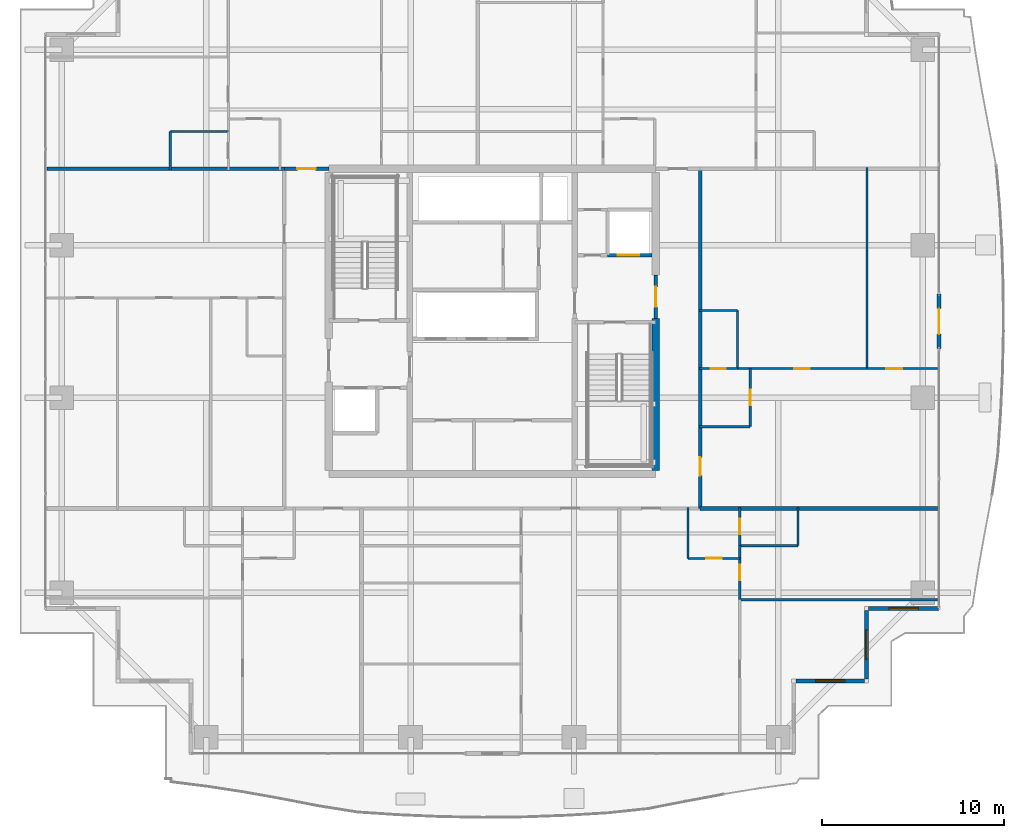
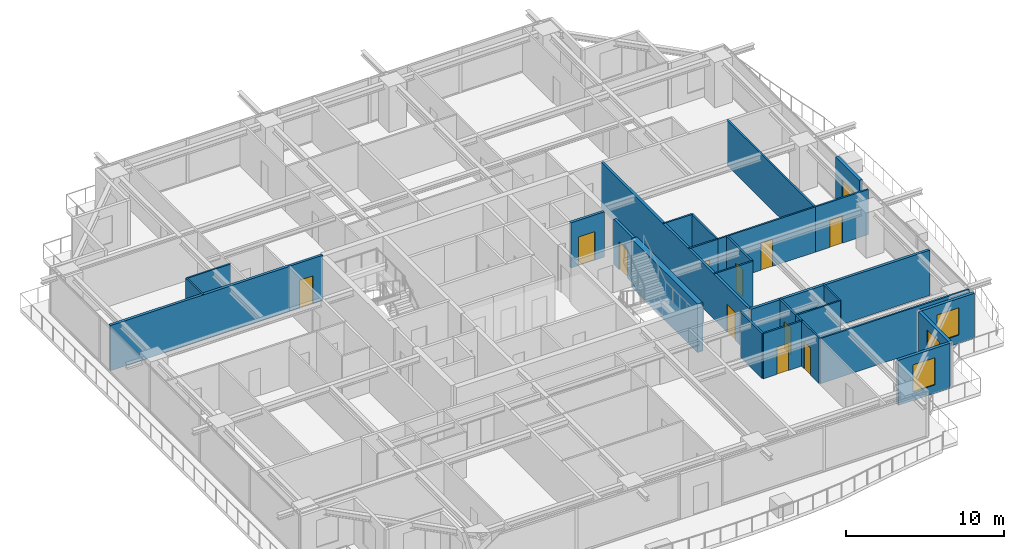
# One storey, part 29 of 37: 28 walls, 12 doors, 3 windows, 15 openings.
"""IFC4 building model written with IfcOpenShell, lengths in metres."""

from ifc_helpers import new_model, si_unit, direction, frame, frame_2d, origin, place, context, subcontext, project, spatial, rectangle, extrude, source, transform, mapped, material, layer, layer_set, type_object, element, fill, save


model = new_model("IFC4")

# Units and contexts
model_context = context("Model", 3, precision=1e-05, world=origin(), true_north=direction((0.0, 1.0)))
body_context = subcontext(model_context, "Body", "Model", "MODEL_VIEW")
ifc_project = project(units=[si_unit("LENGTHUNIT", "METRE"), si_unit("AREAUNIT", "SQUARE_METRE"), si_unit("VOLUMEUNIT", "CUBIC_METRE"), si_unit("PLANEANGLEUNIT", "RADIAN"), si_unit("MASSUNIT", "GRAM", prefix="KILO")], contexts=[model_context])

# Site, building, storey
site_placement = place(None, origin())
site = spatial("IfcSite", under=ifc_project, at=site_placement, CompositionType="ELEMENT")
building_placement = place(site_placement, origin())
building = spatial("IfcBuilding", under=site, at=building_placement, Name="Serunith Strait Residences", CompositionType="ELEMENT")
storey_placement = place(building_placement, frame((0.0, 0.0, 161.39990234375)))
storey = spatial("IfcBuildingStorey", under=building, at=storey_placement, Name="L40", CompositionType="ELEMENT", Elevation=161.39990234375)

# Wall, opening, window
ifc_material_1 = material(Name="Pale-Champagne Aluminium Insulated Panel", Category="aluminium")
ifc_layer_1 = layer(ifc_material_1, 0.219970703125, Name="Pale-Champagne Aluminium Insulated Panel")
ifc_layer_set_1 = layer_set([ifc_layer_1], Name="Pale-Champagne Aluminium Insulated Panel")
wall_type_1 = type_object("IfcWallType", Name="EW-ALUM-220", PredefinedType="ELEMENTEDWALL", material=ifc_layer_set_1)
wall_1_placement = place(storey_placement, frame((49.110107421875, 5.39990234375, 0.0), z_axis=(0.0, 0.0, 1.0), x_axis=(1.0, 0.0, 0.0)))
wall_1 = element("IfcWall", 1, at=wall_1_placement, inside=storey, type_object=wall_type_1, Name="L40 Girih Serrated Corner Wall 03", PredefinedType="ELEMENTEDWALL", context=body_context, shape_type="SweptSolid", body=[
    extrude(rectangle(XDim=3.77978515625, YDim=0.219970703125, at=frame_2d((1.889892578125, 0.0))), origin(), (0.0, 0.0, 1.0), 3.47509765625),
])
opening_1_placement = place(wall_1_placement, frame((1.090087890625, 0.0, 0.64990234375)))
opening_1 = element("IfcOpeningElement", 2, at=opening_1_placement, cuts=wall_1, Name="Opening W-02", PredefinedType="OPENING", context=body_context, shape_type="SweptSolid", body=[
    extrude(rectangle(XDim=1.60009765625, YDim=2.10009765625, at=frame_2d((0.800048828125, 1.050048828125))), frame((0.0, 0.1201171875, 0.0), z_axis=(0.0, -1.0, 0.0), x_axis=(1.0, 0.0, 0.0)), (0.0, 0.0, 1.0), 0.239990234375),
])
ifc_material_2 = material(Name="Ceramic-Fritted Operable Aluminium Window Glass", Category="aluminium")
window_type = type_object("IfcWindowType", Name="WIN-C2", PartitioningType="DOUBLE_PANEL_VERTICAL", PredefinedType="WINDOW", material=ifc_material_2)
shared_shape_1 = source(origin(), body_context, "Body", "SweptSolid", [
    extrude(rectangle(XDim=1.60009765625, YDim=2.10009765625, at=frame_2d((0.800048828125, 1.050048828125))), frame((0.0, 0.030029296875, 0.0), z_axis=(0.0, -1.0, 0.0), x_axis=(1.0, 0.0, 0.0)), (0.0, 0.0, 1.0), 0.06005859375),
])
window_1_placement = place(opening_1_placement, origin())
window_1 = element("IfcWindow", 3, at=window_1_placement, inside=storey, type_object=window_type, Name="L40 Corner Operable Fritted Window 03", OverallHeight=2.10009765625, OverallWidth=1.60009765625, PartitioningType="SINGLE_PANEL", PredefinedType="WINDOW", context=body_context, shape_type="MappedRepresentation", body=[
    mapped(shared_shape_1, transform((0.0, 0.0, 0.0), scale=1.0)),
])
fill(opening_1, window_1)

wall_2_placement = place(storey_placement, frame((53.0, 5.510009765625, 0.0), z_axis=(0.0, 0.0, 1.0), x_axis=(0.0, 1.0, 0.0)))
wall_2 = element("IfcWall", 4, at=wall_2_placement, inside=storey, type_object=wall_type_1, Name="L40 Girih Serrated Corner Wall 04", PredefinedType="ELEMENTEDWALL", context=body_context, shape_type="SweptSolid", body=[
    extrude(rectangle(XDim=3.780029296875, YDim=0.219970703125, at=frame_2d((1.89013671875, 0.0))), origin(), (0.0, 0.0, 1.0), 3.47509765625),
])
opening_2_placement = place(wall_2_placement, frame((1.090087890625, 0.0, 0.64990234375)))
opening_2 = element("IfcOpeningElement", 5, at=opening_2_placement, cuts=wall_2, Name="Opening W-02", PredefinedType="OPENING", context=body_context, shape_type="SweptSolid", body=[
    extrude(rectangle(XDim=1.60009765625, YDim=2.10009765625, at=frame_2d((0.800048828125, 1.050048828125))), frame((0.0, 0.1201171875, 0.0), z_axis=(0.0, -1.0, 0.0), x_axis=(1.0, 0.0, 0.0)), (0.0, 0.0, 1.0), 0.239990234375),
])
window_2_placement = place(opening_2_placement, origin())
window_2 = element("IfcWindow", 6, at=window_2_placement, inside=storey, type_object=window_type, Name="L40 Corner Operable Fritted Window 04", OverallHeight=2.10009765625, OverallWidth=1.60009765625, PartitioningType="SINGLE_PANEL", PredefinedType="WINDOW", context=body_context, shape_type="MappedRepresentation", body=[
    mapped(shared_shape_1, transform((0.0, 0.0, 0.0), scale=1.0)),
])
fill(opening_2, window_2)

wall_3_placement = place(storey_placement, frame((53.110107421875, 9.39990234375, 0.0), z_axis=(0.0, 0.0, 1.0), x_axis=(1.0, 0.0, 0.0)))
wall_3 = element("IfcWall", 7, at=wall_3_placement, inside=storey, type_object=wall_type_1, Name="L40 Girih Serrated Corner Wall 05", PredefinedType="ELEMENTEDWALL", context=body_context, shape_type="SweptSolid", body=[
    extrude(rectangle(XDim=3.889892578125, YDim=0.219970703125, at=frame_2d((1.94482421875, 0.0))), origin(), (0.0, 0.0, 1.0), 3.47509765625),
])
opening_3_placement = place(wall_3_placement, frame((1.14501953125, 0.0, 0.64990234375)))
opening_3 = element("IfcOpeningElement", 8, at=opening_3_placement, cuts=wall_3, Name="Opening W-02", PredefinedType="OPENING", context=body_context, shape_type="SweptSolid", body=[
    extrude(rectangle(XDim=1.60009765625, YDim=2.10009765625, at=frame_2d((0.800048828125, 1.050048828125))), frame((0.0, 0.1201171875, 0.0), z_axis=(0.0, -1.0, 0.0), x_axis=(1.0, 0.0, 0.0)), (0.0, 0.0, 1.0), 0.239990234375),
])
window_3_placement = place(opening_3_placement, origin())
window_3 = element("IfcWindow", 9, at=window_3_placement, inside=storey, type_object=window_type, Name="L40 Corner Operable Fritted Window 05", OverallHeight=2.10009765625, OverallWidth=1.60009765625, PartitioningType="SINGLE_PANEL", PredefinedType="WINDOW", context=body_context, shape_type="MappedRepresentation", body=[
    mapped(shared_shape_1, transform((0.0, 0.0, 0.0), scale=1.0)),
])
fill(opening_3, window_3)

# Wall, opening, door
wall_4_placement = place(storey_placement, frame((57.0, 23.699951171875, 0.0), z_axis=(0.0, 0.0, 1.0), x_axis=(0.0, 1.0, 0.0)))
wall_4 = element("IfcWall", 10, at=wall_4_placement, inside=storey, type_object=wall_type_1, Name="L40 E Facade Pier Wall", PredefinedType="ELEMENTEDWALL", context=body_context, shape_type="SweptSolid", body=[
    extrude(rectangle(XDim=3.0, YDim=0.219970703125, at=frame_2d((1.5, 0.0))), origin(), (0.0, 0.0, 1.0), 3.47509765625),
])
opening_4_placement = place(wall_4_placement, frame((0.800048828125, 0.0, 0.0)))
opening_4 = element("IfcOpeningElement", 11, at=opening_4_placement, cuts=wall_4, Name="Opening ED-04", PredefinedType="OPENING", context=body_context, shape_type="SweptSolid", body=[
    extrude(rectangle(XDim=1.39990234375, YDim=2.25, at=frame_2d((0.699951171875, 1.125))), frame((0.0, 0.1201171875, 0.0), z_axis=(0.0, -1.0, 0.0), x_axis=(1.0, 0.0, 0.0)), (0.0, 0.0, 1.0), 0.239990234375),
])
ifc_material_3 = material(Name="Thermally-Broken Aluminium Sliding Balcony Door", Category="aluminium")
door_type_1 = type_object("IfcDoorType", Name="ED-BALC-1400", OperationType="NOTDEFINED", PredefinedType="DOOR", material=ifc_material_3)
shared_shape_2 = source(origin(), body_context, "Body", "SweptSolid", [
    extrude(rectangle(XDim=1.39990234375, YDim=2.25, at=frame_2d((0.699951171875, 1.125))), frame((0.0, 0.02490234375, 0.0), z_axis=(0.0, -1.0, 0.0), x_axis=(1.0, 0.0, 0.0)), (0.0, 0.0, 1.0), 0.050048828125),
])
door_1_placement = place(opening_4_placement, origin())
door_1 = element("IfcDoor", 12, at=door_1_placement, inside=storey, type_object=door_type_1, Name="L40 E Vertical-Forest Balcony Door", OperationType="SLIDING_TO_LEFT", OverallHeight=2.25, OverallWidth=1.39990234375, PredefinedType="DOOR", context=body_context, shape_type="MappedRepresentation", body=[
    mapped(shared_shape_2, transform((0.0, 0.0, 0.0), scale=1.0)),
])
fill(opening_4, door_1)

ifc_material_4 = material(Name="Fire-rated acoustic gypsum partition")
ifc_layer_2 = layer(ifc_material_4, 0.179931640625, Name="Fire-rated acoustic gypsum partition")
ifc_layer_set_2 = layer_set([ifc_layer_2], Name="Fire-rated acoustic gypsum partition")
wall_type_2 = type_object("IfcWallType", Name="IW-CORR-180", PredefinedType="PARTITIONING", material=ifc_layer_set_2)
wall_5_placement = place(storey_placement, frame((43.85009765625, 14.89990234375, 0.0), z_axis=(0.0, 0.0, 1.0), x_axis=(0.0, 1.0, 0.0)))
wall_5 = element("IfcWall", 13, at=wall_5_placement, inside=storey, type_object=wall_type_2, Name="L40 Partition Wall 027", PredefinedType="PARTITIONING", context=body_context, shape_type="SweptSolid", body=[
    extrude(rectangle(XDim=18.7001953125, YDim=0.179931640625, at=frame_2d((9.35009765625, 0.0))), origin(), (0.0, 0.0, 1.0), 3.489990234375),
])
opening_5_placement = place(wall_5_placement, frame((1.804931640625, 0.0, 0.0)))
opening_5 = element("IfcOpeningElement", 14, at=opening_5_placement, cuts=wall_5, Name="Opening D-APT1000", PredefinedType="OPENING", context=body_context, shape_type="SweptSolid", body=[
    extrude(rectangle(XDim=1.0, YDim=2.14990234375, at=frame_2d((0.5, 1.074951171875))), frame((0.0, 0.10009765625, 0.0), z_axis=(0.0, -1.0, 0.0), x_axis=(1.0, 0.0, 0.0)), (0.0, 0.0, 1.0), 0.199951171875),
])
ifc_material_5 = material(Name="Solid timber engineered fire door", Category="wood")
door_type_2 = type_object("IfcDoorType", Name="ID-APT-1000", OperationType="NOTDEFINED", PredefinedType="DOOR", material=ifc_material_5)
shared_shape_3 = source(origin(), body_context, "Body", "SweptSolid", [
    extrude(rectangle(XDim=1.0, YDim=2.14990234375, at=frame_2d((0.5, 1.074951171875))), frame((0.0, 0.02490234375, 0.0), z_axis=(0.0, -1.0, 0.0), x_axis=(1.0, 0.0, 0.0)), (0.0, 0.0, 1.0), 0.050048828125),
])
door_2_placement = place(opening_5_placement, origin())
door_2 = element("IfcDoor", 15, at=door_2_placement, inside=storey, type_object=door_type_2, Name="L40 Unit 07 Entrance Door", OperationType="SINGLE_SWING_RIGHT", OverallHeight=2.14990234375, OverallWidth=1.0, PredefinedType="DOOR", context=body_context, shape_type="MappedRepresentation", body=[
    mapped(shared_shape_3, transform((0.0, 0.0, 0.0), scale=1.0)),
])
fill(opening_5, door_2)

wall_6_placement = place(storey_placement, frame((20.951904296875, 33.60009765625, 0.0), z_axis=(0.0, 0.0, 1.0), x_axis=(1.0, 0.0, 0.0)))
wall_6 = element("IfcWall", 16, at=wall_6_placement, inside=storey, type_object=wall_type_2, Name="L40 Partition Wall 028", PredefinedType="PARTITIONING", context=body_context, shape_type="SweptSolid", body=[
    extrude(rectangle(XDim=2.446044921875, YDim=0.179931640625, at=frame_2d((1.22314453125, 0.0))), origin(), (0.0, 0.0, 1.0), 3.489990234375),
])
opening_6_placement = place(wall_6_placement, frame((0.722900390625, 0.0, 0.0)))
opening_6 = element("IfcOpeningElement", 17, at=opening_6_placement, cuts=wall_6, Name="Opening D-APT1000", PredefinedType="OPENING", context=body_context, shape_type="SweptSolid", body=[
    extrude(rectangle(XDim=1.0, YDim=2.14990234375, at=frame_2d((0.5, 1.074951171875))), frame((0.0, 0.10009765625, 0.0), z_axis=(0.0, -1.0, 0.0), x_axis=(1.0, 0.0, 0.0)), (0.0, 0.0, 1.0), 0.199951171875),
])
door_3_placement = place(opening_6_placement, origin())
door_3 = element("IfcDoor", 18, at=door_3_placement, inside=storey, type_object=door_type_2, Name="L40 Unit 04 Entrance Door", OperationType="SINGLE_SWING_LEFT", OverallHeight=2.14990234375, OverallWidth=1.0, PredefinedType="DOOR", context=body_context, shape_type="MappedRepresentation", body=[
    mapped(shared_shape_3, transform((0.0, 0.0, 0.0), scale=1.0)),
])
fill(opening_6, door_3)

ifc_material_6 = material(Name="Lightweight steel-stud gypsum partition", Category="steel")
ifc_layer_3 = layer(ifc_material_6, 0.1201171875, Name="Lightweight steel-stud gypsum partition")
ifc_layer_set_3 = layer_set([ifc_layer_3], Name="Lightweight steel-stud gypsum partition")
wall_type_3 = type_object("IfcWallType", Name="IW-PART-120", PredefinedType="PARTITIONING", material=ifc_layer_set_3)
wall_7_placement = place(storey_placement, frame((43.179931640625, 12.14990234375, 0.0), z_axis=(0.0, 0.0, 1.0), x_axis=(1.0, 0.0, 0.0)))
wall_7 = element("IfcWall", 19, at=wall_7_placement, inside=storey, type_object=wall_type_3, Name="L40 Partition Wall 045", PredefinedType="PARTITIONING", context=body_context, shape_type="SweptSolid", body=[
    extrude(rectangle(XDim=2.85009765625, YDim=0.1201171875, at=frame_2d((1.425048828125, 0.0))), origin(), (0.0, 0.0, 1.0), 3.489990234375),
])
opening_7_placement = place(wall_7_placement, frame((1.0, 0.0, 0.0)))
opening_7 = element("IfcOpeningElement", 20, at=opening_7_placement, cuts=wall_7, Name="Opening D-RM850", PredefinedType="OPENING", context=body_context, shape_type="SweptSolid", body=[
    extrude(rectangle(XDim=0.85009765625, YDim=2.10009765625, at=frame_2d((0.425048828125, 1.050048828125))), frame((0.0, 0.070068359375, 0.0), z_axis=(0.0, -1.0, 0.0), x_axis=(1.0, 0.0, 0.0)), (0.0, 0.0, 1.0), 0.14013671875),
])
ifc_material_7 = material(Name="Engineered timber flush study and kitchen door", Category="wood")
door_type_3 = type_object("IfcDoorType", Name="ID-ROOM-850", OperationType="NOTDEFINED", PredefinedType="DOOR", material=ifc_material_7)
shared_shape_4 = source(origin(), body_context, "Body", "SweptSolid", [
    extrude(rectangle(XDim=0.85009765625, YDim=2.10009765625, at=frame_2d((0.425048828125, 1.050048828125))), frame((0.0, 0.02490234375, 0.0), z_axis=(0.0, -1.0, 0.0), x_axis=(1.0, 0.0, 0.0)), (0.0, 0.0, 1.0), 0.050048828125),
])
door_4_placement = place(opening_7_placement, origin())
door_4 = element("IfcDoor", 21, at=door_4_placement, inside=storey, type_object=door_type_3, Name="L40 Kitchen 4003 Door", OperationType="SINGLE_SWING_LEFT", OverallHeight=2.10009765625, OverallWidth=0.85009765625, PredefinedType="DOOR", context=body_context, shape_type="MappedRepresentation", body=[
    mapped(shared_shape_4, transform((0.0, 0.0, 0.0), scale=1.0)),
])
fill(opening_7, door_4)

# Walls
wall_8_placement = place(storey_placement, frame((43.179931640625, 12.14990234375, 0.0), z_axis=(0.0, 0.0, 1.0), x_axis=(0.0, 1.0, 0.0)))
element("IfcWall", 22, at=wall_8_placement, inside=storey, type_object=wall_type_3, Name="L40 Partition Wall 046", PredefinedType="PARTITIONING", context=body_context, shape_type="SweptSolid", body=[
    extrude(rectangle(XDim=2.81005859375, YDim=0.1201171875, at=frame_2d((1.405029296875, 0.0))), origin(), (0.0, 0.0, 1.0), 3.489990234375),
])
wall_9_placement = place(storey_placement, frame((46.030029296875, 9.873046875, 0.0), z_axis=(0.0, 0.0, 1.0), x_axis=(1.0, 0.0, 0.0)))
element("IfcWall", 23, at=wall_9_placement, inside=storey, type_object=wall_type_3, Name="L40 Partition Wall 048", PredefinedType="PARTITIONING", context=body_context, shape_type="SweptSolid", body=[
    extrude(rectangle(XDim=10.875, YDim=0.1201171875, at=frame_2d((5.4375, 0.0))), origin(), (0.0, 0.0, 1.0), 3.489990234375),
])
wall_10_placement = place(storey_placement, frame((46.030029296875, 12.85009765625, 0.0), z_axis=(0.0, 0.0, 1.0), x_axis=(1.0, 0.0, 0.0)))
element("IfcWall", 24, at=wall_10_placement, inside=storey, type_object=wall_type_3, Name="L40 Partition Wall 049", PredefinedType="PARTITIONING", context=body_context, shape_type="SweptSolid", body=[
    extrude(rectangle(XDim=3.199951171875, YDim=0.1201171875, at=frame_2d((1.60009765625, 0.0))), origin(), (0.0, 0.0, 1.0), 3.489990234375),
])
wall_11_placement = place(storey_placement, frame((49.22998046875, 12.85009765625, 0.0), z_axis=(0.0, 0.0, 1.0), x_axis=(0.0, 1.0, 0.0)))
element("IfcWall", 25, at=wall_11_placement, inside=storey, type_object=wall_type_3, Name="L40 Partition Wall 050", PredefinedType="PARTITIONING", context=body_context, shape_type="SweptSolid", body=[
    extrude(rectangle(XDim=2.10986328125, YDim=0.1201171875, at=frame_2d((1.054931640625, 0.0))), origin(), (0.0, 0.0, 1.0), 3.489990234375),
])

# Wall, opening, door
wall_12_placement = place(storey_placement, frame((46.030029296875, 9.875, 0.0), z_axis=(0.0, 0.0, 1.0), x_axis=(0.0, 1.0, 0.0)))
wall_12 = element("IfcWall", 26, at=wall_12_placement, inside=storey, type_object=wall_type_3, Name="L40 Partition Wall 051", PredefinedType="PARTITIONING", context=body_context, shape_type="SweptSolid", body=[
    extrude(rectangle(XDim=2.97509765625, YDim=0.1201171875, at=frame_2d((1.487548828125, 0.0))), origin(), (0.0, 0.0, 1.0), 3.489990234375),
])
opening_8_placement = place(wall_12_placement, frame((1.06201171875, 0.0, 0.0)))
opening_8 = element("IfcOpeningElement", 27, at=opening_8_placement, cuts=wall_12, Name="Opening D-RM850", PredefinedType="OPENING", context=body_context, shape_type="SweptSolid", body=[
    extrude(rectangle(XDim=0.85009765625, YDim=2.10009765625, at=frame_2d((0.425048828125, 1.050048828125))), frame((0.0, 0.070068359375, 0.0), z_axis=(0.0, -1.0, 0.0), x_axis=(1.0, 0.0, 0.0)), (0.0, 0.0, 1.0), 0.14013671875),
])
door_5_placement = place(opening_8_placement, origin())
door_5 = element("IfcDoor", 28, at=door_5_placement, inside=storey, type_object=door_type_3, Name="L40 Walk-in Wardrobe 4003 Door", OperationType="SINGLE_SWING_LEFT", OverallHeight=2.10009765625, OverallWidth=0.85009765625, PredefinedType="DOOR", context=body_context, shape_type="MappedRepresentation", body=[
    mapped(shared_shape_4, transform((0.0, 0.0, 0.0), scale=1.0)),
])
fill(opening_8, door_5)

wall_13_placement = place(storey_placement, frame((46.030029296875, 12.85205078125, 0.0), z_axis=(0.0, 0.0, 1.0), x_axis=(0.0, 1.0, 0.0)))
wall_13 = element("IfcWall", 29, at=wall_13_placement, inside=storey, type_object=wall_type_3, Name="L40 Partition Wall 052", PredefinedType="PARTITIONING", context=body_context, shape_type="SweptSolid", body=[
    extrude(rectangle(XDim=2.10791015625, YDim=0.1201171875, at=frame_2d((1.053955078125, 0.0))), origin(), (0.0, 0.0, 1.0), 3.489990234375),
])
opening_9_placement = place(wall_13_placement, frame((0.62890625, 0.0, 0.0)))
opening_9 = element("IfcOpeningElement", 30, at=opening_9_placement, cuts=wall_13, Name="Opening D-BTH850", PredefinedType="OPENING", context=body_context, shape_type="SweptSolid", body=[
    extrude(rectangle(XDim=0.85009765625, YDim=2.10009765625, at=frame_2d((0.425048828125, 1.050048828125))), frame((0.0, 0.070068359375, 0.0), z_axis=(0.0, -1.0, 0.0), x_axis=(1.0, 0.0, 0.0)), (0.0, 0.0, 1.0), 0.14013671875),
])
ifc_material_8 = material(Name="Moisture-resistant timber bathroom door", Category="wood")
door_type_4 = type_object("IfcDoorType", Name="ID-BATH-850", OperationType="NOTDEFINED", PredefinedType="DOOR", material=ifc_material_8)
door_6_placement = place(opening_9_placement, origin())
door_6 = element("IfcDoor", 31, at=door_6_placement, inside=storey, type_object=door_type_4, Name="L40 Bathroom 4003 Door", OperationType="SINGLE_SWING_RIGHT", OverallHeight=2.10009765625, OverallWidth=0.85009765625, PredefinedType="DOOR", context=body_context, shape_type="MappedRepresentation", body=[
    mapped(shared_shape_4, transform((0.0, 0.0, 0.0), scale=1.0)),
])
fill(opening_9, door_6)

# Walls
wall_14_placement = place(storey_placement, frame((14.669921875, 35.64990234375, 0.0), z_axis=(0.0, 0.0, 1.0), x_axis=(1.0, 0.0, 0.0)))
element("IfcWall", 32, at=wall_14_placement, inside=storey, type_object=wall_type_3, Name="L40 Partition Wall 057", PredefinedType="PARTITIONING", context=body_context, shape_type="SweptSolid", body=[
    extrude(rectangle(XDim=3.2001953125, YDim=0.1201171875, at=frame_2d((1.60009765625, 0.0))), origin(), (0.0, 0.0, 1.0), 3.489990234375),
])
wall_15_placement = place(storey_placement, frame((14.669921875, 35.64990234375, 0.0), z_axis=(0.0, 0.0, 1.0), x_axis=(0.0, -1.0, 0.0)))
element("IfcWall", 33, at=wall_15_placement, inside=storey, type_object=wall_type_3, Name="L40 Partition Wall 058", PredefinedType="PARTITIONING", context=body_context, shape_type="SweptSolid", body=[
    extrude(rectangle(XDim=2.10986328125, YDim=0.1201171875, at=frame_2d((1.054931640625, 0.0))), origin(), (0.0, 0.0, 1.0), 3.489990234375),
])

# Wall, opening, door
wall_16_placement = place(storey_placement, frame((46.60009765625, 19.39990234375, 0.0), z_axis=(0.0, 0.0, 1.0), x_axis=(0.0, 1.0, 0.0)))
wall_16 = element("IfcWall", 34, at=wall_16_placement, inside=storey, type_object=wall_type_3, Name="L40 Partition Wall 087", PredefinedType="PARTITIONING", context=body_context, shape_type="SweptSolid", body=[
    extrude(rectangle(XDim=3.2001953125, YDim=0.1201171875, at=frame_2d((1.60009765625, 0.0))), origin(), (0.0, 0.0, 1.0), 3.489990234375),
])
opening_10_placement = place(wall_16_placement, frame((1.175048828125, 0.0, 0.0)))
opening_10 = element("IfcOpeningElement", 35, at=opening_10_placement, cuts=wall_16, Name="Opening D-RM850", PredefinedType="OPENING", context=body_context, shape_type="SweptSolid", body=[
    extrude(rectangle(XDim=0.85009765625, YDim=2.10009765625, at=frame_2d((0.425048828125, 1.050048828125))), frame((0.0, 0.070068359375, 0.0), z_axis=(0.0, -1.0, 0.0), x_axis=(1.0, 0.0, 0.0)), (0.0, 0.0, 1.0), 0.14013671875),
])
door_7_placement = place(opening_10_placement, origin())
door_7 = element("IfcDoor", 36, at=door_7_placement, inside=storey, type_object=door_type_3, Name="L40 Kitchen 4007 Door", OperationType="SINGLE_SWING_LEFT", OverallHeight=2.10009765625, OverallWidth=0.85009765625, PredefinedType="DOOR", context=body_context, shape_type="MappedRepresentation", body=[
    mapped(shared_shape_4, transform((0.0, 0.0, 0.0), scale=1.0)),
])
fill(opening_10, door_7)

# Wall
wall_17_placement = place(storey_placement, frame((46.60009765625, 19.39990234375, 0.0), z_axis=(0.0, 0.0, 1.0), x_axis=(-1.0, 0.0, 0.0)))
element("IfcWall", 37, at=wall_17_placement, inside=storey, type_object=wall_type_3, Name="L40 Partition Wall 088", PredefinedType="PARTITIONING", context=body_context, shape_type="SweptSolid", body=[
    extrude(rectangle(XDim=2.81005859375, YDim=0.1201171875, at=frame_2d((1.405029296875, 0.0))), origin(), (0.0, 0.0, 1.0), 3.489990234375),
])

# Wall, opening, door
wall_18_placement = place(storey_placement, frame((56.905029296875, 22.60009765625, 0.0), z_axis=(0.0, 0.0, 1.0), x_axis=(-1.0, 0.0, 0.0)))
wall_18 = element("IfcWall", 38, at=wall_18_placement, inside=storey, type_object=wall_type_3, Name="L40 Partition Wall 089", PredefinedType="PARTITIONING", context=body_context, shape_type="SweptSolid", body=[
    extrude(rectangle(XDim=3.879150390625, YDim=0.1201171875, at=frame_2d((1.939453125, 0.0))), origin(), (0.0, 0.0, 1.0), 3.489990234375),
])
opening_11_placement = place(wall_18_placement, frame((1.91796875, 0.0, 0.0)))
opening_11 = element("IfcOpeningElement", 39, at=opening_11_placement, cuts=wall_18, Name="Opening D-RM900", PredefinedType="OPENING", context=body_context, shape_type="SweptSolid", body=[
    extrude(rectangle(XDim=0.89990234375, YDim=2.10009765625, at=frame_2d((0.449951171875, 1.050048828125))), frame((0.0, 0.070068359375, 0.0), z_axis=(0.0, -1.0, 0.0), x_axis=(1.0, 0.0, 0.0)), (0.0, 0.0, 1.0), 0.14013671875),
])
ifc_material_9 = material(Name="Engineered timber flush bedroom door", Category="wood")
door_type_5 = type_object("IfcDoorType", Name="ID-ROOM-900", OperationType="NOTDEFINED", PredefinedType="DOOR", material=ifc_material_9)
shared_shape_5 = source(origin(), body_context, "Body", "SweptSolid", [
    extrude(rectangle(XDim=0.89990234375, YDim=2.10009765625, at=frame_2d((0.449951171875, 1.050048828125))), frame((0.0, 0.02490234375, 0.0), z_axis=(0.0, -1.0, 0.0), x_axis=(1.0, 0.0, 0.0)), (0.0, 0.0, 1.0), 0.050048828125),
])
door_8_placement = place(opening_11_placement, origin())
door_8 = element("IfcDoor", 40, at=door_8_placement, inside=storey, type_object=door_type_5, Name="L40 Master Bedroom 1 4007 Door", OperationType="SINGLE_SWING_RIGHT", OverallHeight=2.10009765625, OverallWidth=0.89990234375, PredefinedType="DOOR", context=body_context, shape_type="MappedRepresentation", body=[
    mapped(shared_shape_5, transform((0.0, 0.0, 0.0), scale=1.0)),
])
fill(opening_11, door_8)

# Walls
wall_19_placement = place(storey_placement, frame((53.02587890625, 22.60009765625, 0.0), z_axis=(0.0, 0.0, 1.0), x_axis=(0.0, 1.0, 0.0)))
element("IfcWall", 41, at=wall_19_placement, inside=storey, type_object=wall_type_3, Name="L40 Partition Wall 090", PredefinedType="PARTITIONING", context=body_context, shape_type="SweptSolid", body=[
    extrude(rectangle(XDim=11.059814453125, YDim=0.1201171875, at=frame_2d((5.52978515625, 0.0))), origin(), (0.0, 0.0, 1.0), 3.489990234375),
])
wall_20_placement = place(storey_placement, frame((45.89990234375, 22.60009765625, 0.0), z_axis=(0.0, 0.0, 1.0), x_axis=(0.0, 1.0, 0.0)))
element("IfcWall", 42, at=wall_20_placement, inside=storey, type_object=wall_type_3, Name="L40 Partition Wall 091", PredefinedType="PARTITIONING", context=body_context, shape_type="SweptSolid", body=[
    extrude(rectangle(XDim=3.199951171875, YDim=0.1201171875, at=frame_2d((1.60009765625, 0.0))), origin(), (0.0, 0.0, 1.0), 3.489990234375),
])
wall_21_placement = place(storey_placement, frame((45.89990234375, 25.800048828125, 0.0), z_axis=(0.0, 0.0, 1.0), x_axis=(-1.0, 0.0, 0.0)))
element("IfcWall", 43, at=wall_21_placement, inside=storey, type_object=wall_type_3, Name="L40 Partition Wall 092", PredefinedType="PARTITIONING", context=body_context, shape_type="SweptSolid", body=[
    extrude(rectangle(XDim=2.10986328125, YDim=0.1201171875, at=frame_2d((1.054931640625, 0.0))), origin(), (0.0, 0.0, 1.0), 3.489990234375),
])

# Wall, opening, door
wall_22_placement = place(storey_placement, frame((53.02392578125, 22.60009765625, 0.0), z_axis=(0.0, 0.0, 1.0), x_axis=(-1.0, 0.0, 0.0)))
wall_22 = element("IfcWall", 44, at=wall_22_placement, inside=storey, type_object=wall_type_3, Name="L40 Partition Wall 093", PredefinedType="PARTITIONING", context=body_context, shape_type="SweptSolid", body=[
    extrude(rectangle(XDim=7.1240234375, YDim=0.1201171875, at=frame_2d((3.56201171875, 0.0))), origin(), (0.0, 0.0, 1.0), 3.489990234375),
])
opening_12_placement = place(wall_22_placement, frame((3.136962890625, 0.0, 0.0)))
opening_12 = element("IfcOpeningElement", 45, at=opening_12_placement, cuts=wall_22, Name="Opening D-RM850", PredefinedType="OPENING", context=body_context, shape_type="SweptSolid", body=[
    extrude(rectangle(XDim=0.85009765625, YDim=2.10009765625, at=frame_2d((0.425048828125, 1.050048828125))), frame((0.0, 0.070068359375, 0.0), z_axis=(0.0, -1.0, 0.0), x_axis=(1.0, 0.0, 0.0)), (0.0, 0.0, 1.0), 0.14013671875),
])
door_9_placement = place(opening_12_placement, origin())
door_9 = element("IfcDoor", 46, at=door_9_placement, inside=storey, type_object=door_type_3, Name="L40 Walk-in Wardrobe 4007 Door", OperationType="SINGLE_SWING_LEFT", OverallHeight=2.10009765625, OverallWidth=0.85009765625, PredefinedType="DOOR", context=body_context, shape_type="MappedRepresentation", body=[
    mapped(shared_shape_4, transform((0.0, 0.0, 0.0), scale=1.0)),
])
fill(opening_12, door_9)

wall_23_placement = place(storey_placement, frame((45.89794921875, 22.60009765625, 0.0), z_axis=(0.0, 0.0, 1.0), x_axis=(-1.0, 0.0, 0.0)))
wall_23 = element("IfcWall", 47, at=wall_23_placement, inside=storey, type_object=wall_type_3, Name="L40 Partition Wall 094", PredefinedType="PARTITIONING", context=body_context, shape_type="SweptSolid", body=[
    extrude(rectangle(XDim=2.10791015625, YDim=0.1201171875, at=frame_2d((1.053955078125, 0.0))), origin(), (0.0, 0.0, 1.0), 3.489990234375),
])
opening_13_placement = place(wall_23_placement, frame((0.62890625, 0.0, 0.0)))
opening_13 = element("IfcOpeningElement", 48, at=opening_13_placement, cuts=wall_23, Name="Opening D-BTH850", PredefinedType="OPENING", context=body_context, shape_type="SweptSolid", body=[
    extrude(rectangle(XDim=0.85009765625, YDim=2.10009765625, at=frame_2d((0.425048828125, 1.050048828125))), frame((0.0, 0.070068359375, 0.0), z_axis=(0.0, -1.0, 0.0), x_axis=(1.0, 0.0, 0.0)), (0.0, 0.0, 1.0), 0.14013671875),
])
door_10_placement = place(opening_13_placement, origin())
door_10 = element("IfcDoor", 49, at=door_10_placement, inside=storey, type_object=door_type_4, Name="L40 Bathroom 4007 Door", OperationType="SINGLE_SWING_RIGHT", OverallHeight=2.10009765625, OverallWidth=0.85009765625, PredefinedType="DOOR", context=body_context, shape_type="MappedRepresentation", body=[
    mapped(shared_shape_4, transform((0.0, 0.0, 0.0), scale=1.0)),
])
fill(opening_13, door_10)

# Walls
ifc_material_10 = material(Name="Twin-stud acoustic gypsum board partition")
ifc_layer_4 = layer(ifc_material_10, 0.199951171875, Name="Twin-stud acoustic gypsum board partition")
ifc_layer_set_4 = layer_set([ifc_layer_4], Name="Twin-stud acoustic gypsum board partition")
wall_type_4 = type_object("IfcWallType", Name="IW-PARTY-200", PredefinedType="PARTITIONING", material=ifc_layer_set_4)
for number, where, z_axis, x_axis, name in (
    (50, (43.85009765625, 14.89990234375, 0.0), (0.0, 0.0, 1.0), (1.0, 0.0, 0.0), "L40 Partition Wall 022"),
    (51, (7.882080078125, 33.60009765625, 0.0), (0.0, 0.0, 1.0), (1.0, 0.0, 0.0), "L40 Partition Wall 023"),
):
    element("IfcWall", number, at=place(storey_placement, frame(where, z_axis=z_axis, x_axis=x_axis)), inside=storey, type_object=wall_type_4, Name=name, PredefinedType="PARTITIONING", context=body_context, shape_type="SweptSolid", body=[
        extrude(rectangle(XDim=13.06787109375, YDim=0.199951171875, at=frame_2d((6.533935546875, 0.0))), origin(), (0.0, 0.0, 1.0), 3.489990234375),
    ])

# Wall, opening, door
ifc_material_11 = material(Name="Autoclaved aerated concrete blockwork", Category="masonry")
ifc_layer_5 = layer(ifc_material_11, 0.199951171875, Name="Autoclaved aerated concrete blockwork")
ifc_layer_set_5 = layer_set([ifc_layer_5], Name="Autoclaved aerated concrete blockwork")
wall_type_5 = type_object("IfcWallType", Name="IW-SHAFT-200", PredefinedType="STANDARD", material=ifc_layer_set_5)
wall_24_placement = place(storey_placement, frame((38.75, 28.85009765625, 0.0), z_axis=(0.0, 0.0, 1.0), x_axis=(1.0, 0.0, 0.0)))
wall_24 = element("IfcWall", 52, at=wall_24_placement, inside=storey, type_object=wall_type_5, Name="L40 FL-2 South Shaft Wall", PredefinedType="STANDARD", context=body_context, shape_type="SweptSolid", body=[
    extrude(rectangle(XDim=2.449951171875, YDim=0.199951171875, at=frame_2d((1.22509765625, 0.0))), origin(), (0.0, 0.0, 1.0), 3.489990234375),
])
opening_14_placement = place(wall_24_placement, frame((0.550048828125, 0.0, 0.0)))
opening_14 = element("IfcOpeningElement", 53, at=opening_14_placement, cuts=wall_24, Name="Opening LD-FF1200", PredefinedType="OPENING", context=body_context, shape_type="SweptSolid", body=[
    extrude(rectangle(XDim=1.199951171875, YDim=2.199951171875, at=frame_2d((0.60009765625, 1.10009765625))), frame((0.0, 0.10986328125, 0.0), z_axis=(0.0, -1.0, 0.0), x_axis=(1.0, 0.0, 0.0)), (0.0, 0.0, 1.0), 0.219970703125),
])
ifc_material_12 = material(Name="Brushed stainless steel landing door", Category="steel")
door_type_6 = type_object("IfcDoorType", Name="LD-FF-1200", OperationType="DOUBLE_DOOR_SLIDING", PredefinedType="DOOR", material=ifc_material_12)
shared_shape_6 = source(origin(), body_context, "Body", "SweptSolid", [
    extrude(rectangle(XDim=1.199951171875, YDim=2.199951171875, at=frame_2d((0.60009765625, 1.10009765625))), frame((0.0, 0.02490234375, 0.0), z_axis=(0.0, -1.0, 0.0), x_axis=(1.0, 0.0, 0.0)), (0.0, 0.0, 1.0), 0.050048828125),
])
door_11_placement = place(opening_14_placement, origin())
door_11 = element("IfcDoor", 54, at=door_11_placement, inside=storey, type_object=door_type_6, Name="L40 FL-2 Landing Door", OperationType="DOUBLE_DOOR_SLIDING", OverallHeight=2.199951171875, OverallWidth=1.199951171875, PredefinedType="DOOR", context=body_context, shape_type="MappedRepresentation", body=[
    mapped(shared_shape_6, transform((0.0, 0.0, 0.0), scale=1.0)),
])
fill(opening_14, door_11)

wall_25_placement = place(storey_placement, frame((41.39990234375, 25.35205078125, 0.0), z_axis=(0.0, 0.0, 1.0), x_axis=(0.0, 1.0, 0.0)))
wall_25 = element("IfcWall", 55, at=wall_25_placement, inside=storey, type_object=wall_type_5, Name="L40 Partition Wall 008", PredefinedType="STANDARD", context=body_context, shape_type="SweptSolid", body=[
    extrude(rectangle(XDim=2.39599609375, YDim=0.199951171875, at=frame_2d((1.197998046875, 0.0))), origin(), (0.0, 0.0, 1.0), 3.489990234375),
])
opening_15_placement = place(wall_25_placement, frame((0.64794921875, 0.0, 0.0)))
opening_15 = element("IfcOpeningElement", 56, at=opening_15_placement, cuts=wall_25, Name="Opening FD-FFL", PredefinedType="OPENING", context=body_context, shape_type="SweptSolid", body=[
    extrude(rectangle(XDim=1.10009765625, YDim=2.14990234375, at=frame_2d((0.550048828125, 1.074951171875))), frame((0.0, 0.10986328125, 0.0), z_axis=(0.0, -1.0, 0.0), x_axis=(1.0, 0.0, 0.0)), (0.0, 0.0, 1.0), 0.219970703125),
])
ifc_material_13 = material(Name="Glazed steel smoke-lobby fire door", Category="steel")
door_type_7 = type_object("IfcDoorType", Name="FD-FFL-1100", OperationType="NOTDEFINED", PredefinedType="DOOR", material=ifc_material_13)
shared_shape_7 = source(origin(), body_context, "Body", "SweptSolid", [
    extrude(rectangle(XDim=1.10009765625, YDim=2.14990234375, at=frame_2d((0.550048828125, 1.074951171875))), frame((0.0, 0.02490234375, 0.0), z_axis=(0.0, -1.0, 0.0), x_axis=(1.0, 0.0, 0.0)), (0.0, 0.0, 1.0), 0.050048828125),
])
door_12_placement = place(opening_15_placement, origin())
door_12 = element("IfcDoor", 57, at=door_12_placement, inside=storey, type_object=door_type_7, Name="L40 FFL-2 Corridor Fire Door", OperationType="SINGLE_SWING_RIGHT", OverallHeight=2.14990234375, OverallWidth=1.10009765625, PredefinedType="DOOR", context=body_context, shape_type="MappedRepresentation", body=[
    mapped(shared_shape_7, transform((0.0, 0.0, 0.0), scale=1.0)),
])
fill(opening_15, door_12)

# Wall
ifc_material_14 = material(Name="Concrete C70/85", Category="concrete")
ifc_layer_6 = layer(ifc_material_14, 0.39990234375, Name="Concrete C70/85")
ifc_layer_set_6 = layer_set([ifc_layer_6], Name="Concrete C70/85")
wall_type_6 = type_object("IfcWallType", Name="SW-400-C70", PredefinedType="SHEAR", material=ifc_layer_set_6)
wall_26_placement = place(storey_placement, frame((41.39990234375, 17.0, -0.260009765625), z_axis=(0.0, 0.0, 1.0), x_axis=(0.0, 1.0, 0.0)))
element("IfcWall", 58, at=wall_26_placement, inside=storey, type_object=wall_type_6, Name="L40 Core East Shear Wall South Pier", PredefinedType="SHEAR", context=body_context, shape_type="SweptSolid", body=[
    extrude(rectangle(XDim=8.35009765625, YDim=0.39990234375, at=frame_2d((4.175048828125, 0.0))), origin(), (0.0, 0.0, 1.0), 3.748046875),
])

save(model, "model.ifc")
